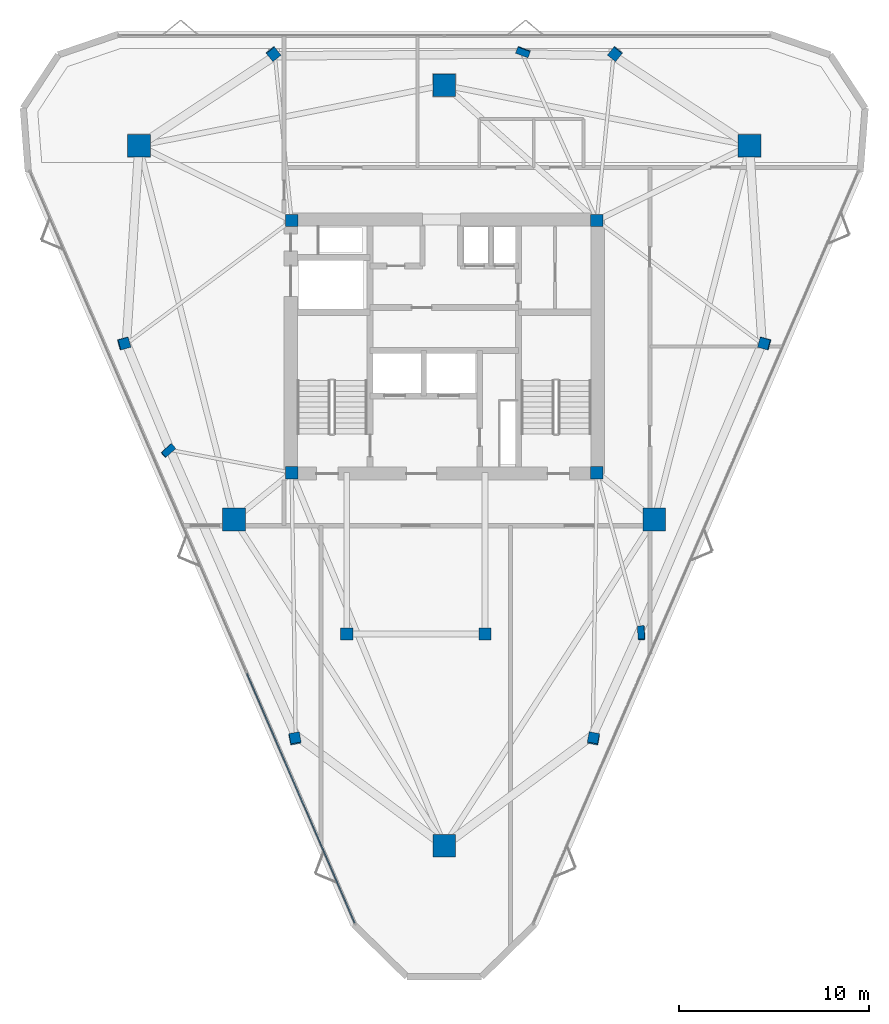
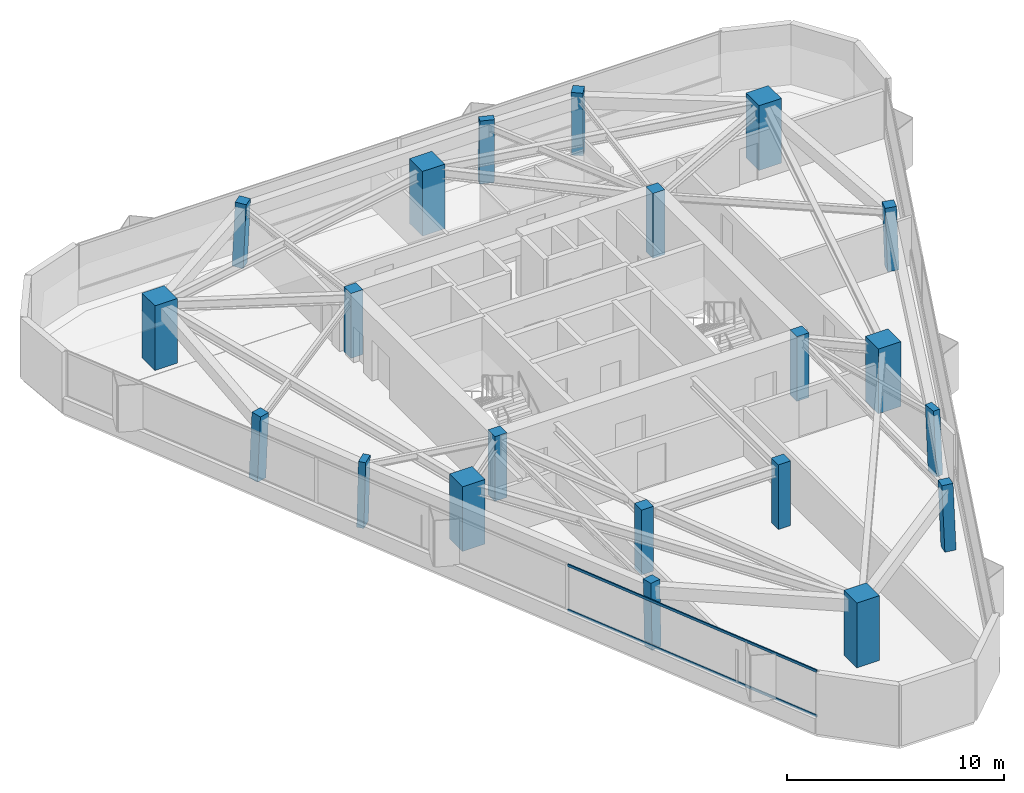
# One storey, part 1 of 12: 21 columns, 2 members, 1 element without a shape of its own.
"""IFC4 building model written with IfcOpenShell, lengths in metres."""

from ifc_helpers import new_model, si_unit, direction, frame, origin, origin_2d, place, context, subcontext, project, spatial, rectangle, extrude, material, layer, layer_set, material_profile, profile_set, type_object, element, aggregate, save


model = new_model("IFC4")

# Units and contexts
model_context = context("Model", 3, precision=1e-05, world=origin(), true_north=direction((0.0, 1.0)))
body_context = subcontext(model_context, "Body", "Model", "MODEL_VIEW")
ifc_project = project(units=[si_unit("LENGTHUNIT", "METRE"), si_unit("AREAUNIT", "SQUARE_METRE"), si_unit("VOLUMEUNIT", "CUBIC_METRE"), si_unit("PLANEANGLEUNIT", "RADIAN"), si_unit("MASSUNIT", "GRAM", prefix="KILO")], contexts=[model_context])

# Site, building, storey
site_placement = place(None, origin())
site = spatial("IfcSite", under=ifc_project, at=site_placement, CompositionType="ELEMENT")
building_placement = place(site_placement, origin())
building = spatial("IfcBuilding", under=site, at=building_placement, Name="Talyreon Biosciences Tower", CompositionType="ELEMENT")
storey_placement = place(building_placement, frame((0.0, 0.0, 268.10009765625)))
storey = spatial("IfcBuildingStorey", under=building, at=storey_placement, Name="L71", CompositionType="ELEMENT", Elevation=268.10009765625)

# Columns
ifc_material_1 = material(Name="Precast concrete C45/55", Category="concrete")
ifc_material_profile_1 = material_profile(ifc_material_1, rectangle(XDim=0.699951171875, YDim=0.35009765625, at=origin_2d()), Name="RC 700x350")
ifc_profile_set_1 = profile_set([ifc_material_profile_1], Name="Precast concrete C45/55")
column_type_1 = type_object("IfcColumnType", Name="FacadePilaster_700x350", PredefinedType="PILASTER", material=ifc_profile_set_1)
column_1_placement = place(storey_placement, frame((76.406494140625, 52.873291015625, 0.0029296875), z_axis=(-0.019611953815, 0.038353752683, 0.999071749637), x_axis=(0.063999000178, -0.997166465444, 0.039536921597)))
element("IfcColumn", 1, at=column_1_placement, inside=storey, type_object=column_type_1, Name="L71 Facade Pilaster PL-SE", PredefinedType="PILASTER", context=body_context, shape_type="SweptSolid", body=[
    extrude(rectangle(XDim=0.699951171875, YDim=0.35009765625, at=origin_2d()), origin(), (0.0, 0.0, 1.0), 3.6474609375),
])
column_2_placement = place(storey_placement, frame((70.166748046875, 83.556396484375, 0.0029296875), z_axis=(-0.01238655289, -0.033544124313, 0.999360478022), x_axis=(-0.9380871136, 0.346399433166, 0.0)))
element("IfcColumn", 2, at=column_2_placement, inside=storey, type_object=column_type_1, Name="L71 Facade Pilaster PL-N", PredefinedType="PILASTER", context=body_context, shape_type="SweptSolid", body=[
    extrude(rectangle(XDim=0.699951171875, YDim=0.35009765625, at=origin_2d()), origin(), (0.0, 0.0, 1.0), 3.646484375),
])
column_3_placement = place(storey_placement, frame((51.4267578125, 62.50634765625, 0.0029296875), z_axis=(0.032006431603, 0.010646490847, 0.99943095838), x_axis=(0.74509695593, 0.666237263536, -0.030958600418)))
element("IfcColumn", 3, at=column_3_placement, inside=storey, type_object=column_type_1, Name="L71 Facade Pilaster PL-SW", PredefinedType="PILASTER", context=body_context, shape_type="SweptSolid", body=[
    extrude(rectangle(XDim=0.699951171875, YDim=0.35009765625, at=origin_2d()), origin(), (0.0, 0.0, 1.0), 3.64599609375),
])
ifc_material_2 = material(Name="Concrete C50/60", Category="concrete")
ifc_material_profile_2 = material_profile(ifc_material_2, rectangle(XDim=1.199951171875, YDim=1.199951171875, at=origin_2d()), Name="RC 1200x1200")
ifc_profile_set_2 = profile_set([ifc_material_profile_2], Name="Concrete C50/60")
column_type_2 = type_object("IfcColumnType", Name="MegaColumn_1200", PredefinedType="COLUMN", material=ifc_profile_set_2)
for number, where, z_axis, x_axis, name in (
    (4, (66.0, 41.6669921875, 0.0), (0.0, 0.0, 1.0), (1.0, 0.0, 0.0), "L71 Composite Mega-Column MC1"),
    (5, (82.102294921875, 78.5986328125, 0.0), (0.0, 0.0, 1.0), (1.0, 0.0, 0.0), "L71 Composite Mega-Column MC2"),
    (6, (49.897705078125, 78.5986328125, 0.0), (0.0, 0.0, 1.0), (1.0, 0.0, 0.0), "L71 Composite Mega-Column MC3"),
    (7, (77.086181640625, 58.88037109375, 0.0), (0.0, 0.0, 1.0), (1.0, 0.0, 0.0), "L71 Composite Mega-Column MC4"),
    (8, (66.0, 81.788818359375, 0.0), (0.0, 0.0, 1.0), (1.0, 0.0, 0.0), "L71 Composite Mega-Column MC5"),
    (9, (54.913818359375, 58.88037109375, 0.0), (0.0, 0.0, 1.0), (1.0, 0.0, 0.0), "L71 Composite Mega-Column MC6"),
):
    element("IfcColumn", number, at=place(storey_placement, frame(where, z_axis=z_axis, x_axis=x_axis)), inside=storey, type_object=column_type_2, Name=name, PredefinedType="COLUMN", context=body_context, shape_type="SweptSolid", body=[
        extrude(rectangle(XDim=1.199951171875, YDim=1.199951171875, at=origin_2d()), origin(), (0.0, 0.0, 1.0), 3.64990234375),
    ])
ifc_material_profile_3 = material_profile(ifc_material_2, rectangle(XDim=0.550048828125, YDim=0.550048828125, at=origin_2d()), Name="RC 550x550")
ifc_profile_set_3 = profile_set([ifc_material_profile_3], Name="Concrete C50/60")
column_type_3 = type_object("IfcColumnType", Name="PerimeterColumn_550", PredefinedType="COLUMN", material=ifc_profile_set_3)
column_4_placement = place(storey_placement, frame((73.884033203125, 47.293701171875, 0.0029296875), z_axis=(-0.012375051005, 0.054584008757, 0.998432493512), x_axis=(-0.184562561757, -0.981477372723, 0.051369520449)))
element("IfcColumn", 10, at=column_4_placement, inside=storey, type_object=column_type_3, Name="L71 Tapering Perimeter Column PC-SE1", PredefinedType="COLUMN", context=body_context, shape_type="SweptSolid", body=[
    extrude(rectangle(XDim=0.550048828125, YDim=0.550048828125, at=origin_2d()), origin(), (0.0, 0.0, 1.0), 3.649658203125),
])
column_5_placement = place(storey_placement, frame((82.911865234375, 68.16552734375, 0.0029296875), z_axis=(-0.039229508262, -0.005623342481, 0.999214403269), x_axis=(0.964149188828, -0.262856057546, 0.036373543871)))
element("IfcColumn", 11, at=column_5_placement, inside=storey, type_object=column_type_3, Name="L71 Tapering Perimeter Column PC-SE2", PredefinedType="COLUMN", context=body_context, shape_type="SweptSolid", body=[
    extrude(rectangle(XDim=0.550048828125, YDim=0.550048828125, at=origin_2d()), origin(), (0.0, 0.0, 1.0), 3.64697265625),
])
for number, where, z_axis, x_axis, name in (
    (12, (75.028076171875, 83.456298828125, 0.0029296875), (-0.026907963191, -0.033534551141, 0.999075270136), (-0.779956681152, 0.625833504637, 0.0), "L71 Tapering Perimeter Column PC-N1"),
    (13, (56.971923828125, 83.456298828125, 0.0029296875), (0.026907963191, -0.033534551141, 0.999075270136), (-0.779956681152, -0.625833504637, 0.0), "L71 Tapering Perimeter Column PC-N2"),
):
    element("IfcColumn", number, at=place(storey_placement, frame(where, z_axis=z_axis, x_axis=x_axis)), inside=storey, type_object=column_type_3, Name=name, PredefinedType="COLUMN", context=body_context, shape_type="SweptSolid", body=[
        extrude(rectangle(XDim=0.550048828125, YDim=0.550048828125, at=origin_2d()), origin(), (0.0, 0.0, 1.0), 3.6474609375),
    ])
column_6_placement = place(storey_placement, frame((49.087890625, 68.16552734375, 0.0029296875), z_axis=(0.039296349527, -0.005623327701, 0.999211776902), x_axis=(0.964083876096, 0.263087103063, -0.036434270308)))
element("IfcColumn", 14, at=column_6_placement, inside=storey, type_object=column_type_3, Name="L71 Tapering Perimeter Column PC-SW1", PredefinedType="COLUMN", context=body_context, shape_type="SweptSolid", body=[
    extrude(rectangle(XDim=0.550048828125, YDim=0.550048828125, at=origin_2d()), origin(), (0.0, 0.0, 1.0), 3.64697265625),
])
column_7_placement = place(storey_placement, frame((58.115966796875, 47.293701171875, 0.0029296875), z_axis=(0.012375051005, 0.054584008757, 0.998432493512), x_axis=(-0.184562561757, 0.981477372723, -0.051369520449)))
element("IfcColumn", 15, at=column_7_placement, inside=storey, type_object=column_type_3, Name="L71 Tapering Perimeter Column PC-SW2", PredefinedType="COLUMN", context=body_context, shape_type="SweptSolid", body=[
    extrude(rectangle(XDim=0.550048828125, YDim=0.550048828125, at=origin_2d()), origin(), (0.0, 0.0, 1.0), 3.649658203125),
])
ifc_material_profile_4 = material_profile(ifc_material_2, rectangle(XDim=0.64990234375, YDim=0.64990234375, at=origin_2d()), Name="RC 650x650")
ifc_profile_set_4 = profile_set([ifc_material_profile_4], Name="Concrete C50/60")
column_type_4 = type_object("IfcColumnType", Name="PerimeterColumn_650", PredefinedType="COLUMN", material=ifc_profile_set_4)
for number, where, z_axis, x_axis, name in (
    (16, (57.949951171875, 61.35009765625, 0.0), (0.0, 0.0, 1.0), (1.0, 0.0, 0.0), "L71 Core Column CC1"),
    (17, (74.050048828125, 61.35009765625, 0.0), (0.0, 0.0, 1.0), (1.0, 0.0, 0.0), "L71 Core Column CC2"),
    (18, (74.050048828125, 74.64990234375, 0.0), (0.0, 0.0, 1.0), (1.0, 0.0, 0.0), "L71 Core Column CC3"),
    (19, (57.949951171875, 74.64990234375, 0.0), (0.0, 0.0, 1.0), (1.0, 0.0, 0.0), "L71 Core Column CC4"),
    (20, (60.85009765625, 52.840087890625, 0.0), (0.0, 0.0, 1.0), (1.0, 0.0, 0.0), "L71 Core Column CSW"),
    (21, (68.14990234375, 52.840087890625, 0.0), (0.0, 0.0, 1.0), (1.0, 0.0, 0.0), "L71 Core Column CSE"),
):
    element("IfcColumn", number, at=place(storey_placement, frame(where, z_axis=z_axis, x_axis=x_axis)), inside=storey, type_object=column_type_4, Name=name, PredefinedType="COLUMN", context=body_context, shape_type="SweptSolid", body=[
        extrude(rectangle(XDim=0.64990234375, YDim=0.64990234375, at=origin_2d()), origin(), (0.0, 0.0, 1.0), 3.64990234375),
    ])

# Curtain wall, members
ifc_material_3 = material(Name="Thermally broken aluminium and low-E glazing", Category="aluminium")
ifc_layer = layer(ifc_material_3, 0.175048828125)
ifc_layer_set = layer_set([ifc_layer], Name="Thermally broken aluminium and low-E glazing")
curtain_wall_type = type_object("IfcCurtainWallType", Name="CurtainWall_Zone5CompLab", PredefinedType="NOTDEFINED", material=ifc_layer_set)
curtain_wall_placement = place(storey_placement, origin())
curtain_wall = element("IfcCurtainWall", 22, at=curtain_wall_placement, inside=storey, type_object=curtain_wall_type, Name="L71 Unitised Curtain Wall FCW-L71-00", PredefinedType="NOTDEFINED")
ifc_material_4 = material(Name="Anodised thermally broken aluminium", Category="aluminium")
ifc_material_profile_5 = material_profile(ifc_material_4, rectangle(XDim=0.06494140625, YDim=0.139892578125, at=origin_2d()), Name="ALUM TRANSOM 65x140")
ifc_profile_set_5 = profile_set([ifc_material_profile_5], Name="Anodised thermally broken aluminium")
member_type = type_object("IfcMemberType", Name="CWTransom_65x140", PredefinedType="USERDEFINED", material=ifc_profile_set_5)
member_1_placement = place(storey_placement, frame((61.274658203125, 37.595947265625, 0.84228515625), z_axis=(-0.396877003236, 0.917871801671, 0.0), x_axis=(-0.917871801671, -0.396877003236, 0.0)))
member_1 = element("IfcMember", 23, at=member_1_placement, type_object=member_type, Name="CW6 transom 1.1", ObjectType="TRANSOM", PredefinedType="USERDEFINED", context=body_context, shape_type="SweptSolid", body=[
    extrude(rectangle(XDim=0.06494140625, YDim=0.139892578125, at=origin_2d()), origin(), (0.0, 0.0, 1.0), 14.32568359375),
])
member_2_placement = place(storey_placement, frame((61.274658203125, 37.595947265625, 3.367431640625), z_axis=(-0.396877003236, 0.917871801671, 0.0), x_axis=(-0.917871801671, -0.396877003236, 0.0)))
member_2 = element("IfcMember", 24, at=member_2_placement, type_object=member_type, Name="CW6 transom 1.2", ObjectType="TRANSOM", PredefinedType="USERDEFINED", context=body_context, shape_type="SweptSolid", body=[
    extrude(rectangle(XDim=0.06494140625, YDim=0.139892578125, at=origin_2d()), origin(), (0.0, 0.0, 1.0), 14.32568359375),
])
aggregate(curtain_wall, [member_1, member_2])

save(model, "model.ifc")
